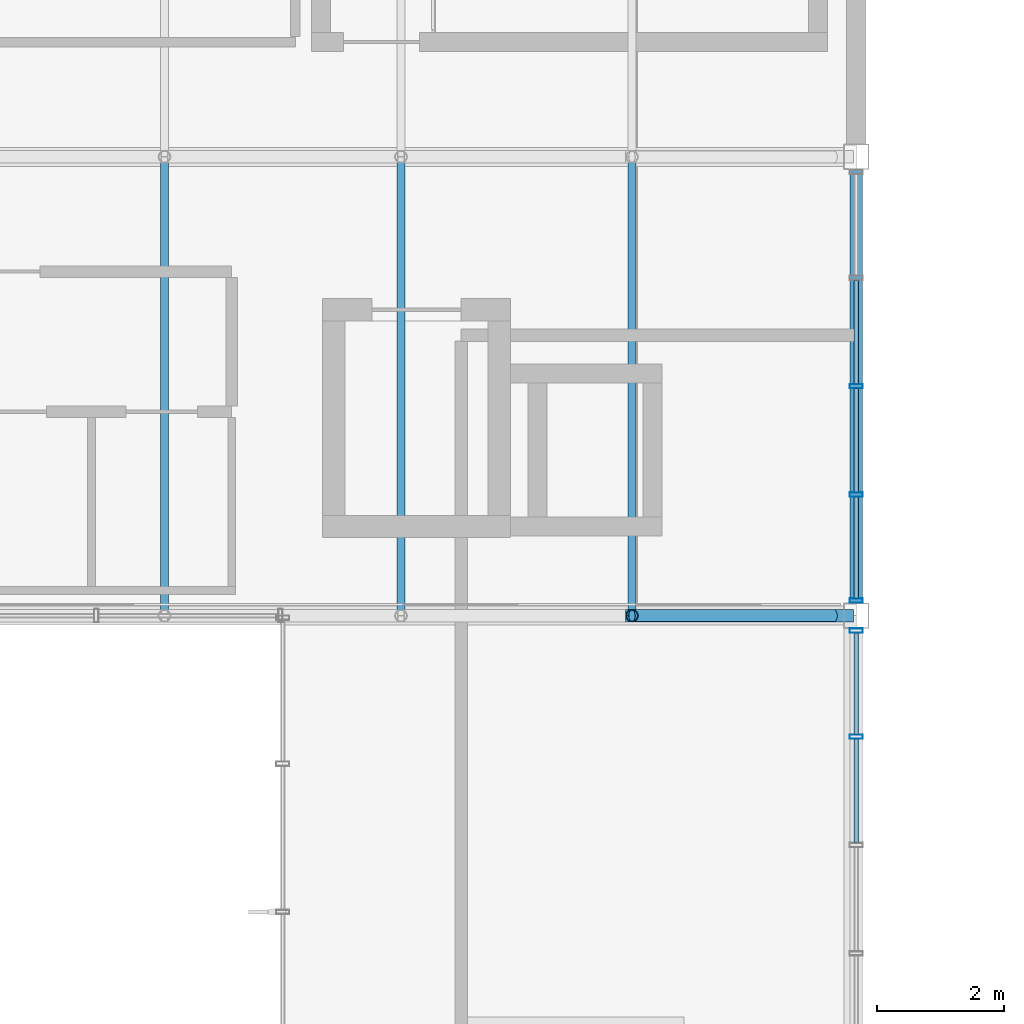
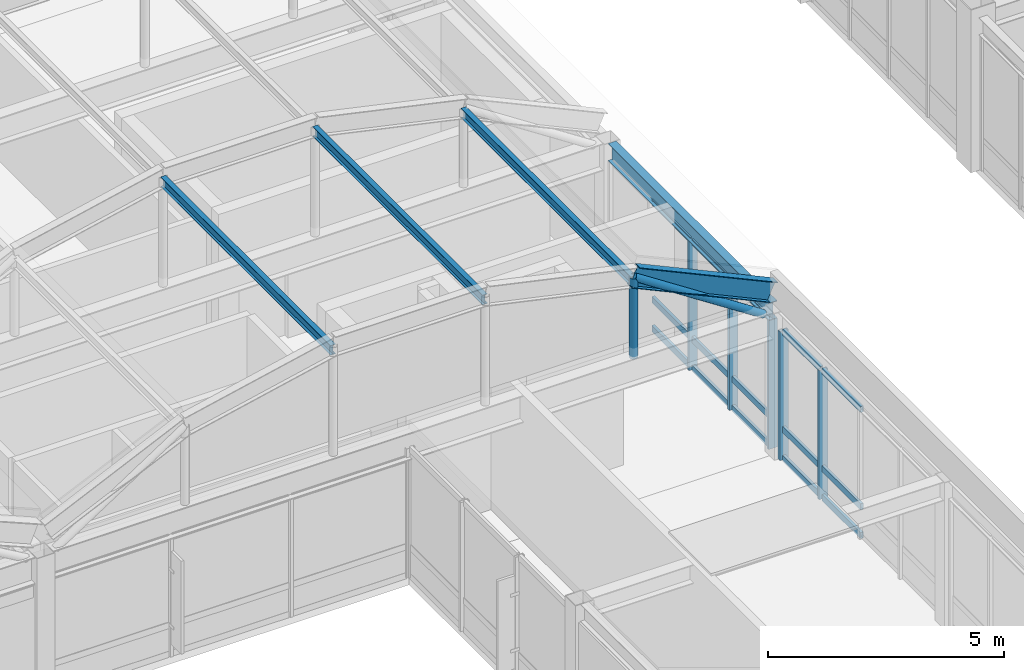
# One storey, part 43 of 106: 26 members, 1 beam, 2 elements without a shape of their own.
"""IFC4 building model written with IfcOpenShell, lengths in metres."""

import ifcopenshell
import ifcopenshell.guid

model = None  # the IFC model being written
_history = None  # IfcOwnerHistory: only IFC2X3 demands one
_inside = {}  # id of a spatial element -> (the spatial element, [elements in it])
_under = {}  # id of a project, library or spatial element -> (it, [spatial elements below it])
_declared = {}  # id of a project -> (the project, [libraries it declares])
_typed = {}  # id of a type object -> (the type object, [elements of that type])
_made_of = {}  # id of a material, layer set ... -> (it, [elements and type objects made of it])


def new_model(schema):
    """Start an empty IFC model of exactly this schema.

    Asked for "IFC4X3", IfcOpenShell would pick the latest addendum, in which some entities
    have other attributes; the version numbers below select the first issue.
    IFC2X3 requires an IfcOwnerHistory on every rooted entity: one is made here for all.
    """
    global model, _history
    if schema == "IFC4X3":
        model = ifcopenshell.file(schema_version=(4, 3, 0, 0))
    else:
        model = ifcopenshell.file(schema=schema)
    _inside.clear()
    _under.clear()
    _declared.clear()
    _typed.clear()
    _made_of.clear()
    _history = None
    if model.schema == "IFC2X3":
        org = make("IfcOrganization", Name="unknown")
        user = make(
            "IfcPersonAndOrganization",
            ThePerson=make("IfcPerson", FamilyName="unknown"),
            TheOrganization=org,
        )
        app = make(
            "IfcApplication",
            ApplicationDeveloper=org,
            Version="unknown",
            ApplicationFullName="unknown",
            ApplicationIdentifier="unknown",
        )
        _history = make(
            "IfcOwnerHistory",
            OwningUser=user,
            OwningApplication=app,
            ChangeAction="ADDED",
            CreationDate=0,
        )
    return model


def make(cls, **values):
    """One entity of the class cls with the attributes given. An attribute that is None is left unset."""
    return model.create_entity(
        cls, **{name: value for name, value in values.items() if value is not None}
    )


def rooted(cls, **values):
    """An entity with a GlobalId (a new one), such as an element, a storey or a relation."""
    return make(cls, GlobalId=ifcopenshell.guid.new(), OwnerHistory=_history, **values)


def si_unit(unit_type, name, prefix=None):
    """IfcSIUnit, for example si_unit("LENGTHUNIT", "METRE", prefix="MILLI")."""
    return make("IfcSIUnit", UnitType=unit_type, Prefix=prefix, Name=name)


def assignment(units):
    """IfcUnitAssignment: the units of a project."""
    return None if units is None else make("IfcUnitAssignment", Units=units)


def point(xyz):
    """IfcCartesianPoint."""
    return None if xyz is None else make("IfcCartesianPoint", Coordinates=xyz)


def direction(xyz):
    """IfcDirection."""
    return None if xyz is None else make("IfcDirection", DirectionRatios=xyz)


def frame(location, z_axis=None, x_axis=None):
    """IfcAxis2Placement3D, a coordinate frame: its origin and axes. An axis left out is left unset."""
    return make(
        "IfcAxis2Placement3D",
        Location=point(location),
        Axis=direction(z_axis),
        RefDirection=direction(x_axis),
    )


def frame_2d(location, x_axis=None):
    """IfcAxis2Placement2D, a coordinate frame in the plane: its origin and x axis."""
    return make(
        "IfcAxis2Placement2D", Location=point(location), RefDirection=direction(x_axis)
    )


def origin():
    """The frame at (0, 0, 0) with its axes left unset."""
    return frame((0.0, 0.0, 0.0))


def origin_2d():
    """The frame at (0, 0) in the plane with its x axis left unset."""
    return frame_2d((0.0, 0.0))


def place(relative_to, where):
    """IfcLocalPlacement: puts the frame where relative to a parent placement (None: the world)."""
    return make(
        "IfcLocalPlacement", PlacementRelTo=relative_to, RelativePlacement=where
    )


def context(
    kind, dimensions, precision=None, world=None, true_north=None, identifier=None
):
    """IfcGeometricRepresentationContext, for example the 3D "Model" context."""
    return make(
        "IfcGeometricRepresentationContext",
        ContextIdentifier=identifier,
        ContextType=kind,
        CoordinateSpaceDimension=dimensions,
        Precision=precision,
        WorldCoordinateSystem=world,
        TrueNorth=true_north,
    )


def subcontext(parent, identifier, kind, view, scale=None):
    """IfcGeometricRepresentationSubContext, for example "Body" below "Model"."""
    return make(
        "IfcGeometricRepresentationSubContext",
        ContextIdentifier=identifier,
        ContextType=kind,
        ParentContext=parent,
        TargetScale=scale,
        TargetView=view,
    )


def project(units=None, contexts=None):
    """IfcProject with its units and contexts."""
    return rooted(
        "IfcProject",
        Name="project",
        RepresentationContexts=contexts,
        UnitsInContext=assignment(units),
    )


def spatial(cls, under=None, at=None, **own):
    """A site, building, storey or space (cls), placed at a placement, below another one or the project."""
    s = rooted(cls, ObjectPlacement=at, **own)
    if under is not None:
        _under.setdefault(under.id(), (under, []))[1].append(s)
    return s


def profile(cls, at=None, kind="AREA", **sizes):
    """A parametric profile (cls). Its sizes go by their IFC names, for example OverallWidth=200.0."""
    return make(cls, ProfileType=kind, Position=at, **sizes)


def hollow_rectangle(**sizes):
    """IfcRectangleHollowProfileDef."""
    return profile("IfcRectangleHollowProfileDef", **sizes)


def hollow_circle(**sizes):
    """IfcCircleHollowProfileDef."""
    return profile("IfcCircleHollowProfileDef", **sizes)


def i_section(**sizes):
    """IfcIShapeProfileDef."""
    return profile("IfcIShapeProfileDef", **sizes)


def extrude(swept, where, along, depth):
    """IfcExtrudedAreaSolid: the profile swept, set in the frame where, extruded along a direction by depth."""
    return make(
        "IfcExtrudedAreaSolid",
        SweptArea=swept,
        Position=where,
        ExtrudedDirection=direction(along),
        Depth=depth,
    )


def shape(context_of_items, identifier, shape_type, items):
    """IfcShapeRepresentation: the items that make up one representation, for example the "Body"."""
    return make(
        "IfcShapeRepresentation",
        ContextOfItems=context_of_items,
        RepresentationIdentifier=identifier,
        RepresentationType=shape_type,
        Items=items,
    )


def material(Name=None, Category=None):
    """IfcMaterial."""
    return make("IfcMaterial", Name=Name, Category=Category)


def material_profile(
    of_material, cross_section, Name=None, Category=None, Priority=None
):
    """IfcMaterialProfile: a cross section and its material."""
    return make(
        "IfcMaterialProfile",
        Name=Name,
        Material=of_material,
        Profile=cross_section,
        Priority=Priority,
        Category=Category,
    )


def profile_set(profiles, Name=None, composite=None):
    """IfcMaterialProfileSet."""
    return make(
        "IfcMaterialProfileSet",
        Name=Name,
        MaterialProfiles=profiles,
        CompositeProfile=composite,
    )


def made_of(thing, what):
    """Note that an element or type object is made of a material, layer set ...; save() writes the relation."""
    if what is not None:
        _made_of.setdefault(what.id(), (what, []))[1].append(thing)
    return thing


def type_object(cls, material=None, **own):
    """A type object (cls), such as IfcWallType, which elements share."""
    return made_of(rooted(cls, **own), material)


def element(
    cls,
    number,
    at=None,
    inside=None,
    cuts=None,
    type_object=None,
    material=None,
    context=None,
    identifier="Body",
    shape_type=None,
    held_by="IfcProductDefinitionShape",
    body=None,
    shapes=None,
    **own,
):
    """One element of the class cls, such as IfcWall. Its Tag is "e" and its number.

    at: its placement. inside: the storey or other place that contains it. cuts: it is an
    opening in that element (IfcRelVoidsElement). A single representation is given by context,
    identifier, shape_type and body (its items); several are given by shapes. held_by: the class
    of the entity that holds the representations. save() writes the other relations.
    """
    e = rooted(cls, Tag="e%d" % number, ObjectPlacement=at, **own)
    if body is not None:
        shapes = [shape(context, identifier, shape_type, body)]
    if shapes is not None:
        e.Representation = make(held_by, Representations=shapes)
    if inside is not None:
        _inside.setdefault(inside.id(), (inside, []))[1].append(e)
    if cuts is not None:
        rooted(
            "IfcRelVoidsElement", RelatingBuildingElement=cuts, RelatedOpeningElement=e
        )
    if type_object is not None:
        _typed.setdefault(type_object.id(), (type_object, []))[1].append(e)
    return made_of(e, material)


def aggregate(whole, parts):
    """IfcRelAggregates: a whole, such as a stair, and the parts it consists of."""
    return rooted("IfcRelAggregates", RelatingObject=whole, RelatedObjects=parts)


def save(model, path):
    """Write the relations noted so far, then the file.

    IfcRelAggregates (storeys below a building ...), IfcRelContainedInSpatialStructure (elements
    in a storey), IfcRelDefinesByType, IfcRelAssociatesMaterial and IfcRelDeclares: one each for
    every whole, place, type object, material and project.
    """
    for whole, parts in _under.values():
        aggregate(whole, parts)
    for where, things in _inside.values():
        rooted(
            "IfcRelContainedInSpatialStructure",
            RelatedElements=things,
            RelatingStructure=where,
        )
    for kind, things in _typed.values():
        rooted("IfcRelDefinesByType", RelatedObjects=things, RelatingType=kind)
    for what, things in _made_of.values():
        rooted("IfcRelAssociatesMaterial", RelatedObjects=things, RelatingMaterial=what)
    for by, libraries in _declared.values():
        rooted("IfcRelDeclares", RelatingContext=by, RelatedDefinitions=libraries)
    model.write(path)


model = new_model("IFC4")

# Units and contexts
model_context = context("Model", 3, precision=1e-05, world=origin(), true_north=direction((0.0, 1.0)))
body_context = subcontext(model_context, "Body", "Model", "MODEL_VIEW")
ifc_project = project(units=[si_unit("LENGTHUNIT", "METRE"), si_unit("AREAUNIT", "SQUARE_METRE"), si_unit("VOLUMEUNIT", "CUBIC_METRE"), si_unit("PLANEANGLEUNIT", "RADIAN"), si_unit("MASSUNIT", "GRAM", prefix="KILO")], contexts=[model_context])

# Site, building, storey
site_placement = place(None, origin())
site = spatial("IfcSite", under=ifc_project, at=site_placement, CompositionType="ELEMENT")
building_placement = place(site_placement, origin())
building = spatial("IfcBuilding", under=site, at=building_placement, Name="Kazanami Central Library", CompositionType="ELEMENT")
storey_placement = place(building_placement, frame((0.0, 0.0, 12.800048828125)))
storey = spatial("IfcBuildingStorey", under=building, at=storey_placement, Name="L04", CompositionType="ELEMENT", Elevation=12.800048828125)

# Beam
ifc_material_1 = material(Name="Steel SN490B (325 MPa)", Category="steel")
ifc_material_profile_1 = material_profile(ifc_material_1, i_section(OverallWidth=0.199951171875, OverallDepth=0.449951171875, WebThickness=0.009033203125, FlangeThickness=0.013916015625, at=origin_2d()), Name="H-450x200x9x14")
ifc_profile_set_1 = profile_set([ifc_material_profile_1], Name="Steel SN490B (325 MPa)")
beam_type = type_object("IfcBeamType", Name="BM-SP-2", PredefinedType="SPANDREL", material=ifc_profile_set_1)
beam_placement = place(storey_placement, frame((108.0, 64.998046875, 3.554931640625), z_axis=(0.0, 1.0, 0.0), x_axis=(-1.0, 0.0, 0.0)))
element("IfcBeam", 1, at=beam_placement, inside=storey, type_object=beam_type, Name="Girder SP-2 L04 13/K-L", PredefinedType="SPANDREL", context=body_context, shape_type="SweptSolid", body=[
    extrude(i_section(OverallWidth=0.199951171875, OverallDepth=0.449951171875, WebThickness=0.009033203125, FlangeThickness=0.013916015625, at=origin_2d()), origin(), (0.0, 0.0, 1.0), 6.803955078125),
])

# Member
ifc_material_profile_2 = material_profile(ifc_material_1, i_section(OverallWidth=0.199951171875, OverallDepth=0.5, WebThickness=0.010009765625, FlangeThickness=0.01611328125, at=origin_2d()), Name="H-500x200x10x16")
ifc_profile_set_2 = profile_set([ifc_material_profile_2], Name="Steel SN490B (325 MPa)")
member_type_1 = type_object("IfcMemberType", Name="MEM-AR-02", PredefinedType="CHORD", material=ifc_profile_set_2)
member_1_placement = place(storey_placement, frame((104.480224609375, 64.800048828125, 5.80908203125), z_axis=(0.908074880538, 0.0, -0.41880784536), x_axis=(0.0, 1.0, 0.0)))
element("IfcMember", 2, at=member_1_placement, inside=storey, type_object=member_type_1, Name="Barrel Vault Arch Rib AR-02 VAULT-EAST Grid K Seg 5", PredefinedType="CHORD", context=body_context, shape_type="SweptSolid", body=[
    extrude(i_section(OverallWidth=0.199951171875, OverallDepth=0.5, WebThickness=0.010009765625, FlangeThickness=0.01611328125, at=origin_2d()), origin(), (0.0, 0.0, 1.0), 3.7109375),
])

# Curtain wall, members
ifc_material_2 = material(Name="Acid-Etched Low-E Laminated Glass", Category="glass")
curtain_wall_type = type_object("IfcCurtainWallType", Name="CW-6800x3330-M180", PredefinedType="USERDEFINED", material=ifc_material_2)
curtain_wall_1_placement = place(storey_placement, origin())
curtain_wall_1 = element("IfcCurtainWall", 3, at=curtain_wall_1_placement, inside=storey, type_object=curtain_wall_type, Name="Covered Link Bridge Curtain Wall CW-44 L04 E-13-08", ObjectType="UNITISED CURTAIN WALL", PredefinedType="USERDEFINED")
ifc_material_3 = material(Name="Anodised Aluminium A6063-T5", Category="aluminium")
ifc_material_profile_3 = material_profile(ifc_material_3, hollow_rectangle(XDim=0.070068359375, YDim=0.2099609375, WallThickness=0.0048828125, at=origin_2d()), Name="ALU-MULL-70x210x5")
ifc_profile_set_3 = profile_set([ifc_material_profile_3], Name="Anodised Aluminium A6063-T5")
member_type_2 = type_object("IfcMemberType", Name="MEM-CW-M1", PredefinedType="MULLION", material=ifc_profile_set_3)
member_2_placement = place(storey_placement, frame((108.0, 64.56494140625, 0.0), z_axis=(0.0, 0.0, 1.0), x_axis=(0.0, -1.0, 0.0)))
member_2 = element("IfcMember", 4, at=member_2_placement, type_object=member_type_2, Name="CW-44 mullion 1", PredefinedType="MULLION", context=body_context, shape_type="SweptSolid", body=[
    extrude(hollow_rectangle(XDim=0.070068359375, YDim=0.2099609375, WallThickness=0.0048828125, at=origin_2d()), origin(), (0.0, 0.0, 1.0), 3.329833984375),
])
member_3_placement = place(storey_placement, frame((108.0, 62.89990234375, 0.0), z_axis=(0.0, 0.0, 1.0), x_axis=(0.0, -1.0, 0.0)))
member_3 = element("IfcMember", 5, at=member_3_placement, type_object=member_type_2, Name="CW-44 mullion 2", PredefinedType="MULLION", context=body_context, shape_type="SweptSolid", body=[
    extrude(hollow_rectangle(XDim=0.070068359375, YDim=0.2099609375, WallThickness=0.0048828125, at=origin_2d()), origin(), (0.0, 0.0, 1.0), 3.329833984375),
])

curtain_wall_2_placement = place(storey_placement, origin())
curtain_wall_2 = element("IfcCurtainWall", 6, at=curtain_wall_2_placement, inside=storey, type_object=curtain_wall_type, Name="Covered Link Bridge Curtain Wall CW-44 L04 E-13-09", ObjectType="UNITISED CURTAIN WALL", PredefinedType="USERDEFINED")
member_4_placement = place(storey_placement, frame((108.0, 68.39990234375, 0.0), z_axis=(0.0, 0.0, 1.0), x_axis=(0.0, -1.0, 0.0)))
member_4 = element("IfcMember", 7, at=member_4_placement, type_object=member_type_2, Name="CW-44 mullion 3", PredefinedType="MULLION", context=body_context, shape_type="SweptSolid", body=[
    extrude(hollow_rectangle(XDim=0.070068359375, YDim=0.2099609375, WallThickness=0.0048828125, at=origin_2d()), origin(), (0.0, 0.0, 1.0), 3.329833984375),
])
member_5_placement = place(storey_placement, frame((108.0, 66.699951171875, 0.0), z_axis=(0.0, 0.0, 1.0), x_axis=(0.0, -1.0, 0.0)))
member_5 = element("IfcMember", 8, at=member_5_placement, type_object=member_type_2, Name="CW-44 mullion 4", PredefinedType="MULLION", context=body_context, shape_type="SweptSolid", body=[
    extrude(hollow_rectangle(XDim=0.070068359375, YDim=0.2099609375, WallThickness=0.0048828125, at=origin_2d()), origin(), (0.0, 0.0, 1.0), 3.329833984375),
])
member_6_placement = place(storey_placement, frame((108.0, 65.034912109375, 0.0), z_axis=(0.0, 0.0, 1.0), x_axis=(0.0, -1.0, 0.0)))
member_6 = element("IfcMember", 9, at=member_6_placement, type_object=member_type_2, Name="CW-44 mullion 5", PredefinedType="MULLION", context=body_context, shape_type="SweptSolid", body=[
    extrude(hollow_rectangle(XDim=0.070068359375, YDim=0.2099609375, WallThickness=0.0048828125, at=origin_2d()), origin(), (0.0, 0.0, 1.0), 3.329833984375),
])

# Member
ifc_material_profile_4 = material_profile(ifc_material_3, hollow_rectangle(XDim=0.070068359375, YDim=0.159912109375, WallThickness=0.00390625, at=origin_2d()), Name="ALU-TRAN-70x160x4")
ifc_profile_set_4 = profile_set([ifc_material_profile_4], Name="Anodised Aluminium A6063-T5")
member_type_3 = type_object("IfcMemberType", Name="MEM-CW-T1", PredefinedType="USERDEFINED", material=ifc_profile_set_4)
member_7_placement = place(storey_placement, frame((108.0, 64.530029296875, 0.034912109375), z_axis=(0.0, -1.0, 0.0), x_axis=(1.0, 0.0, 0.0)))
member_7 = element("IfcMember", 10, at=member_7_placement, type_object=member_type_3, Name="CW-44 transom 1.1", ObjectType="TRANSOM", PredefinedType="USERDEFINED", context=body_context, shape_type="SweptSolid", body=[
    extrude(hollow_rectangle(XDim=0.070068359375, YDim=0.159912109375, WallThickness=0.00390625, at=origin_2d()), origin(), (0.0, 0.0, 1.0), 1.594970703125),
])

member_8_placement = place(storey_placement, frame((108.0, 64.530029296875, 0.780029296875), z_axis=(0.0, -1.0, 0.0), x_axis=(1.0, 0.0, 0.0)))
member_8 = element("IfcMember", 11, at=member_8_placement, type_object=member_type_3, Name="CW-44 transom 1.2", ObjectType="TRANSOM", PredefinedType="USERDEFINED", context=body_context, shape_type="SweptSolid", body=[
    extrude(hollow_rectangle(XDim=0.070068359375, YDim=0.159912109375, WallThickness=0.00390625, at=origin_2d()), origin(), (0.0, 0.0, 1.0), 1.594970703125),
])

member_9_placement = place(storey_placement, frame((108.0, 64.530029296875, 3.294921875), z_axis=(0.0, -1.0, 0.0), x_axis=(1.0, 0.0, 0.0)))
member_9 = element("IfcMember", 12, at=member_9_placement, type_object=member_type_3, Name="CW-44 transom 1.3", ObjectType="TRANSOM", PredefinedType="USERDEFINED", context=body_context, shape_type="SweptSolid", body=[
    extrude(hollow_rectangle(XDim=0.070068359375, YDim=0.159912109375, WallThickness=0.00390625, at=origin_2d()), origin(), (0.0, 0.0, 1.0), 1.594970703125),
])

member_10_placement = place(storey_placement, frame((108.0, 62.864990234375, 0.034912109375), z_axis=(0.0, -1.0, 0.0), x_axis=(1.0, 0.0, 0.0)))
member_10 = element("IfcMember", 13, at=member_10_placement, type_object=member_type_3, Name="CW-44 transom 2.1", ObjectType="TRANSOM", PredefinedType="USERDEFINED", context=body_context, shape_type="SweptSolid", body=[
    extrude(hollow_rectangle(XDim=0.070068359375, YDim=0.159912109375, WallThickness=0.00390625, at=origin_2d()), origin(), (0.0, 0.0, 1.0), 1.6298828125),
])

member_11_placement = place(storey_placement, frame((108.0, 62.864990234375, 0.780029296875), z_axis=(0.0, -1.0, 0.0), x_axis=(1.0, 0.0, 0.0)))
member_11 = element("IfcMember", 14, at=member_11_placement, type_object=member_type_3, Name="CW-44 transom 2.2", ObjectType="TRANSOM", PredefinedType="USERDEFINED", context=body_context, shape_type="SweptSolid", body=[
    extrude(hollow_rectangle(XDim=0.070068359375, YDim=0.159912109375, WallThickness=0.00390625, at=origin_2d()), origin(), (0.0, 0.0, 1.0), 1.6298828125),
])

member_12_placement = place(storey_placement, frame((108.0, 62.864990234375, 3.294921875), z_axis=(0.0, -1.0, 0.0), x_axis=(1.0, 0.0, 0.0)))
member_12 = element("IfcMember", 15, at=member_12_placement, type_object=member_type_3, Name="CW-44 transom 2.3", ObjectType="TRANSOM", PredefinedType="USERDEFINED", context=body_context, shape_type="SweptSolid", body=[
    extrude(hollow_rectangle(XDim=0.070068359375, YDim=0.159912109375, WallThickness=0.00390625, at=origin_2d()), origin(), (0.0, 0.0, 1.0), 1.6298828125),
])

aggregate(curtain_wall_1, [member_2, member_3, member_7, member_8, member_9, member_10, member_11, member_12])

member_13_placement = place(storey_placement, frame((108.0, 70.06494140625, 0.034912109375), z_axis=(0.0, -1.0, 0.0), x_axis=(1.0, 0.0, 0.0)))
member_13 = element("IfcMember", 16, at=member_13_placement, type_object=member_type_3, Name="CW-44 transom 2.1", ObjectType="TRANSOM", PredefinedType="USERDEFINED", context=body_context, shape_type="SweptSolid", body=[
    extrude(hollow_rectangle(XDim=0.070068359375, YDim=0.159912109375, WallThickness=0.00390625, at=origin_2d()), origin(), (0.0, 0.0, 1.0), 1.6298828125),
])

member_14_placement = place(storey_placement, frame((108.0, 70.06494140625, 0.780029296875), z_axis=(0.0, -1.0, 0.0), x_axis=(1.0, 0.0, 0.0)))
member_14 = element("IfcMember", 17, at=member_14_placement, type_object=member_type_3, Name="CW-44 transom 2.2", ObjectType="TRANSOM", PredefinedType="USERDEFINED", context=body_context, shape_type="SweptSolid", body=[
    extrude(hollow_rectangle(XDim=0.070068359375, YDim=0.159912109375, WallThickness=0.00390625, at=origin_2d()), origin(), (0.0, 0.0, 1.0), 1.6298828125),
])

member_15_placement = place(storey_placement, frame((108.0, 70.06494140625, 3.294921875), z_axis=(0.0, -1.0, 0.0), x_axis=(1.0, 0.0, 0.0)))
member_15 = element("IfcMember", 18, at=member_15_placement, type_object=member_type_3, Name="CW-44 transom 2.3", ObjectType="TRANSOM", PredefinedType="USERDEFINED", context=body_context, shape_type="SweptSolid", body=[
    extrude(hollow_rectangle(XDim=0.070068359375, YDim=0.159912109375, WallThickness=0.00390625, at=origin_2d()), origin(), (0.0, 0.0, 1.0), 1.6298828125),
])

member_16_placement = place(storey_placement, frame((108.0, 68.364990234375, 0.034912109375), z_axis=(0.0, -1.0, 0.0), x_axis=(1.0, 0.0, 0.0)))
member_16 = element("IfcMember", 19, at=member_16_placement, type_object=member_type_3, Name="CW-44 transom 3.1", ObjectType="TRANSOM", PredefinedType="USERDEFINED", context=body_context, shape_type="SweptSolid", body=[
    extrude(hollow_rectangle(XDim=0.070068359375, YDim=0.159912109375, WallThickness=0.00390625, at=origin_2d()), origin(), (0.0, 0.0, 1.0), 1.6298828125),
])

member_17_placement = place(storey_placement, frame((108.0, 68.364990234375, 0.780029296875), z_axis=(0.0, -1.0, 0.0), x_axis=(1.0, 0.0, 0.0)))
member_17 = element("IfcMember", 20, at=member_17_placement, type_object=member_type_3, Name="CW-44 transom 3.2", ObjectType="TRANSOM", PredefinedType="USERDEFINED", context=body_context, shape_type="SweptSolid", body=[
    extrude(hollow_rectangle(XDim=0.070068359375, YDim=0.159912109375, WallThickness=0.00390625, at=origin_2d()), origin(), (0.0, 0.0, 1.0), 1.6298828125),
])

member_18_placement = place(storey_placement, frame((108.0, 68.364990234375, 3.294921875), z_axis=(0.0, -1.0, 0.0), x_axis=(1.0, 0.0, 0.0)))
member_18 = element("IfcMember", 21, at=member_18_placement, type_object=member_type_3, Name="CW-44 transom 3.3", ObjectType="TRANSOM", PredefinedType="USERDEFINED", context=body_context, shape_type="SweptSolid", body=[
    extrude(hollow_rectangle(XDim=0.070068359375, YDim=0.159912109375, WallThickness=0.00390625, at=origin_2d()), origin(), (0.0, 0.0, 1.0), 1.6298828125),
])

member_19_placement = place(storey_placement, frame((108.0, 66.6650390625, 0.034912109375), z_axis=(0.0, -1.0, 0.0), x_axis=(1.0, 0.0, 0.0)))
member_19 = element("IfcMember", 22, at=member_19_placement, type_object=member_type_3, Name="CW-44 transom 4.1", ObjectType="TRANSOM", PredefinedType="USERDEFINED", context=body_context, shape_type="SweptSolid", body=[
    extrude(hollow_rectangle(XDim=0.070068359375, YDim=0.159912109375, WallThickness=0.00390625, at=origin_2d()), origin(), (0.0, 0.0, 1.0), 1.594970703125),
])

member_20_placement = place(storey_placement, frame((108.0, 66.6650390625, 0.780029296875), z_axis=(0.0, -1.0, 0.0), x_axis=(1.0, 0.0, 0.0)))
member_20 = element("IfcMember", 23, at=member_20_placement, type_object=member_type_3, Name="CW-44 transom 4.2", ObjectType="TRANSOM", PredefinedType="USERDEFINED", context=body_context, shape_type="SweptSolid", body=[
    extrude(hollow_rectangle(XDim=0.070068359375, YDim=0.159912109375, WallThickness=0.00390625, at=origin_2d()), origin(), (0.0, 0.0, 1.0), 1.594970703125),
])

member_21_placement = place(storey_placement, frame((108.0, 66.6650390625, 3.294921875), z_axis=(0.0, -1.0, 0.0), x_axis=(1.0, 0.0, 0.0)))
member_21 = element("IfcMember", 24, at=member_21_placement, type_object=member_type_3, Name="CW-44 transom 4.3", ObjectType="TRANSOM", PredefinedType="USERDEFINED", context=body_context, shape_type="SweptSolid", body=[
    extrude(hollow_rectangle(XDim=0.070068359375, YDim=0.159912109375, WallThickness=0.00390625, at=origin_2d()), origin(), (0.0, 0.0, 1.0), 1.594970703125),
])

aggregate(curtain_wall_2, [member_4, member_5, member_6, member_13, member_14, member_15, member_16, member_17, member_18, member_19, member_20, member_21])

# Members
ifc_material_4 = material(Name="Steel SN400B (235 MPa)", Category="steel")
ifc_material_profile_5 = material_profile(ifc_material_4, i_section(OverallWidth=0.125, OverallDepth=0.25, WebThickness=0.006103515625, FlangeThickness=0.009033203125, at=origin_2d()), Name="H-250x125x6x9")
ifc_profile_set_5 = profile_set([ifc_material_profile_5], Name="Steel SN400B (235 MPa)")
member_type_4 = type_object("IfcMemberType", Name="MEM-PUR-250", PredefinedType="PURLIN", material=ifc_profile_set_5)
for number, where, z_axis, x_axis, name in (
    (25, (97.14453125, 64.804931640625, 6.464599609375), (0.0, 1.0, 0.0), (-1.0, 0.0, 0.0), "Barrel Vault Longitudinal Purlin VAULT-EAST Knuckle 2.1"),
    (26, (100.85546875, 64.804931640625, 6.464599609375), (0.0, 1.0, 0.0), (-1.0, 0.0, 0.0), "Barrel Vault Longitudinal Purlin VAULT-EAST Knuckle 3.1"),
    (27, (104.480224609375, 64.804931640625, 5.669189453125), (0.0, 1.0, 0.0), (-1.0, 0.0, 0.0), "Barrel Vault Longitudinal Purlin VAULT-EAST Knuckle 4.1"),
):
    element("IfcMember", number, at=place(storey_placement, frame(where, z_axis=z_axis, x_axis=x_axis)), inside=storey, type_object=member_type_4, Name=name, PredefinedType="PURLIN", context=body_context, shape_type="SweptSolid", body=[
        extrude(i_section(OverallWidth=0.125, OverallDepth=0.25, WebThickness=0.006103515625, FlangeThickness=0.009033203125, at=origin_2d()), origin(), (0.0, 0.0, 1.0), 7.190185546875),
    ])
ifc_material_5 = material(Name="Steel STK490 (315 MPa)", Category="steel")
ifc_material_profile_6 = material_profile(ifc_material_5, hollow_circle(Radius=0.095458984375, WallThickness=0.007080078125, at=origin_2d()), Name="CHS-190.7x7.0")
ifc_profile_set_6 = profile_set([ifc_material_profile_6], Name="Steel STK490 (315 MPa)")
member_type_5 = type_object("IfcMemberType", Name="MEM-VST-190", PredefinedType="STRUT", material=ifc_profile_set_6)
member_22_placement = place(storey_placement, frame((104.480224609375, 64.800048828125, 3.71484375), z_axis=(0.0, 0.0, 1.0), x_axis=(1.0, 0.0, 0.0)))
element("IfcMember", 28, at=member_22_placement, inside=storey, type_object=member_type_5, Name="Barrel Vault Tied-Arch Web Strut VAULT-EAST Grid K Knuckle 4", PredefinedType="STRUT", context=body_context, shape_type="SweptSolid", body=[
    extrude(hollow_circle(Radius=0.095458984375, WallThickness=0.007080078125, at=origin_2d()), origin(), (0.0, 0.0, 1.0), 2.07421875),
])
member_23_placement = place(storey_placement, frame((107.64990234375, 64.800048828125, 3.71484375), z_axis=(-0.836759504137, 0.0, 0.547570572837), x_axis=(0.0, -1.0, 0.0)))
element("IfcMember", 29, at=member_23_placement, inside=storey, type_object=member_type_5, Name="Barrel Vault Tied-Arch Diagonal VAULT-EAST Grid K (R)", PredefinedType="BRACE", context=body_context, shape_type="SweptSolid", body=[
    extrude(hollow_circle(Radius=0.095458984375, WallThickness=0.007080078125, at=origin_2d()), origin(), (0.0, 0.0, 1.0), 3.7880859375),
])

save(model, "model.ifc")
